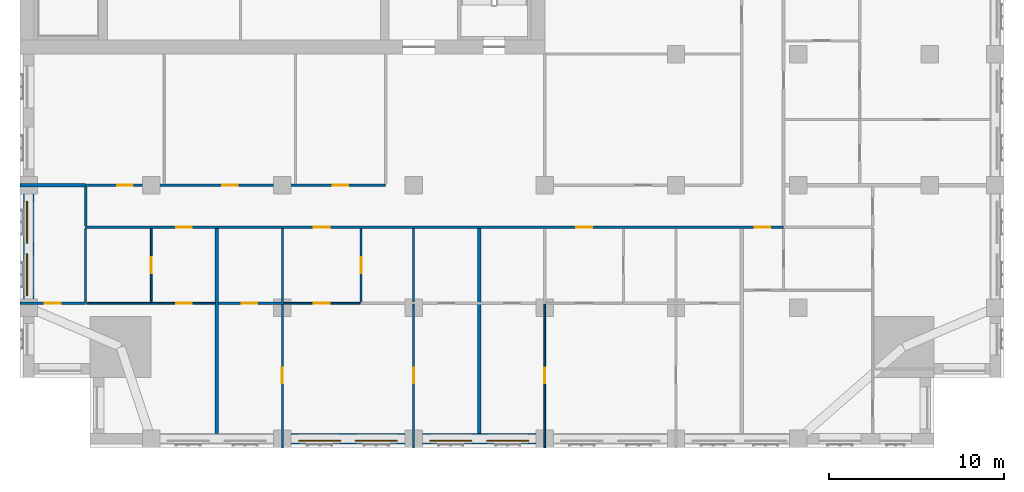
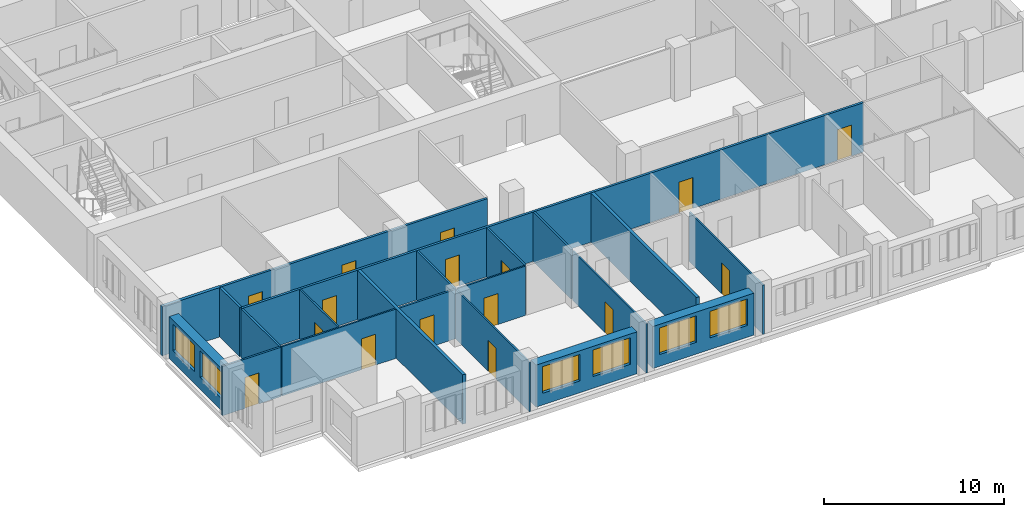
# One storey, part 4 of 13: 21 walls, 16 doors, 6 windows, 22 openings.
"""IFC4 building model written with IfcOpenShell, lengths in metres."""

from ifc_helpers import new_model, si_unit, direction, frame, frame_2d, origin, place, context, subcontext, project, spatial, rectangle, extrude, material, layer, layer_set, type_object, element, fill, save


model = new_model("IFC4")

# Units and contexts
model_context = context("Model", 3, precision=1e-05, world=origin(), true_north=direction((0.0, 1.0)))
body_context = subcontext(model_context, "Body", "Model", "MODEL_VIEW")
ifc_project = project(units=[si_unit("LENGTHUNIT", "METRE"), si_unit("AREAUNIT", "SQUARE_METRE"), si_unit("VOLUMEUNIT", "CUBIC_METRE"), si_unit("PLANEANGLEUNIT", "RADIAN"), si_unit("MASSUNIT", "GRAM", prefix="KILO")], contexts=[model_context])

# Site, building, storey
site_placement = place(None, origin())
site = spatial("IfcSite", under=ifc_project, at=site_placement, CompositionType="ELEMENT")
building_placement = place(site_placement, origin())
building = spatial("IfcBuilding", under=site, at=building_placement, Name="Tamorin Gate", CompositionType="ELEMENT")
storey_placement = place(building_placement, frame((0.0, 0.0, 130.199951171875)))
storey = spatial("IfcBuildingStorey", under=building, at=storey_placement, Name="L31", CompositionType="ELEMENT", Elevation=130.199951171875)

# Wall, openings, windows
ifc_material_1 = material(Name="Precast concrete C40/50", Category="concrete")
ifc_layer_1 = layer(ifc_material_1, 0.60009765625)
ifc_layer_set_1 = layer_set([ifc_layer_1], Name="Precast concrete C40/50")
wall_type_1 = type_object("IfcWallType", Name="Board-marked concrete facade panel 600", PredefinedType="SOLIDWALL", material=ifc_layer_set_1)
wall_1_placement = place(storey_placement, frame((45.5, 38.0, 0.0), z_axis=(0.0, 0.0, 1.0), x_axis=(1.0, 0.0, 0.0)))
wall_1 = element("IfcWall", 1, at=wall_1_placement, inside=storey, type_object=wall_type_1, Name="Facade panel", PredefinedType="SOLIDWALL", context=body_context, shape_type="SweptSolid", body=[
    extrude(rectangle(XDim=6.5, YDim=0.60009765625, at=frame_2d((3.25, 0.0))), origin(), (0.0, 0.0, 1.0), 2.85009765625),
])
opening_1_placement = place(wall_1_placement, frame((0.425048828125, 0.0, 0.800048828125)))
opening_1 = element("IfcOpeningElement", 2, at=opening_1_placement, cuts=wall_1, Name="Opening WN1", PredefinedType="OPENING", context=body_context, shape_type="SweptSolid", body=[
    extrude(rectangle(XDim=2.39990234375, YDim=1.800048828125, at=frame_2d((1.199951171875, 0.89990234375))), frame((0.0, 0.31005859375, 0.0), z_axis=(0.0, -1.0, 0.0), x_axis=(1.0, 0.0, 0.0)), (0.0, 0.0, 1.0), 0.6201171875),
])
opening_2_placement = place(wall_1_placement, frame((3.675048828125, 0.0, 0.800048828125)))
opening_2 = element("IfcOpeningElement", 3, at=opening_2_placement, cuts=wall_1, Name="Opening WN1", PredefinedType="OPENING", context=body_context, shape_type="SweptSolid", body=[
    extrude(rectangle(XDim=2.39990234375, YDim=1.800048828125, at=frame_2d((1.199951171875, 0.89990234375))), frame((0.0, 0.31005859375, 0.0), z_axis=(0.0, -1.0, 0.0), x_axis=(1.0, 0.0, 0.0)), (0.0, 0.0, 1.0), 0.6201171875),
])
ifc_material_2 = material(Name="Clear glass in aluminium frame", Category="aluminium")
window_type = type_object("IfcWindowType", Name="Deep-set window 2400x1800", PartitioningType="SINGLE_PANEL", PredefinedType="WINDOW", material=ifc_material_2)
window_1_placement = place(opening_1_placement, origin())
window_1 = element("IfcWindow", 4, at=window_1_placement, inside=storey, type_object=window_type, Name="Deep-set window", OverallHeight=1.800048828125, OverallWidth=2.39990234375, PartitioningType="SINGLE_PANEL", PredefinedType="WINDOW", context=body_context, shape_type="SweptSolid", body=[
    extrude(rectangle(XDim=2.39990234375, YDim=1.800048828125, at=frame_2d((1.199951171875, 0.89990234375))), frame((0.0, -0.070068359375, 0.0), z_axis=(0.0, -1.0, 0.0), x_axis=(1.0, 0.0, 0.0)), (0.0, 0.0, 1.0), 0.06005859375),
])
fill(opening_1, window_1)
window_2_placement = place(opening_2_placement, origin())
window_2 = element("IfcWindow", 5, at=window_2_placement, inside=storey, type_object=window_type, Name="Deep-set window", OverallHeight=1.800048828125, OverallWidth=2.39990234375, PartitioningType="SINGLE_PANEL", PredefinedType="WINDOW", context=body_context, shape_type="SweptSolid", body=[
    extrude(rectangle(XDim=2.39990234375, YDim=1.800048828125, at=frame_2d((1.199951171875, 0.89990234375))), frame((0.0, -0.070068359375, 0.0), z_axis=(0.0, -1.0, 0.0), x_axis=(1.0, 0.0, 0.0)), (0.0, 0.0, 1.0), 0.06005859375),
])
fill(opening_2, window_2)

wall_2_placement = place(storey_placement, frame((53.0, 38.0, 0.0), z_axis=(0.0, 0.0, 1.0), x_axis=(1.0, 0.0, 0.0)))
wall_2 = element("IfcWall", 6, at=wall_2_placement, inside=storey, type_object=wall_type_1, Name="Facade panel", PredefinedType="SOLIDWALL", context=body_context, shape_type="SweptSolid", body=[
    extrude(rectangle(XDim=6.5, YDim=0.60009765625, at=frame_2d((3.25, 0.0))), origin(), (0.0, 0.0, 1.0), 2.85009765625),
])
opening_3_placement = place(wall_2_placement, frame((0.425048828125, 0.0, 0.800048828125)))
opening_3 = element("IfcOpeningElement", 7, at=opening_3_placement, cuts=wall_2, Name="Opening WN1", PredefinedType="OPENING", context=body_context, shape_type="SweptSolid", body=[
    extrude(rectangle(XDim=2.39990234375, YDim=1.800048828125, at=frame_2d((1.199951171875, 0.89990234375))), frame((0.0, 0.31005859375, 0.0), z_axis=(0.0, -1.0, 0.0), x_axis=(1.0, 0.0, 0.0)), (0.0, 0.0, 1.0), 0.6201171875),
])
opening_4_placement = place(wall_2_placement, frame((3.675048828125, 0.0, 0.800048828125)))
opening_4 = element("IfcOpeningElement", 8, at=opening_4_placement, cuts=wall_2, Name="Opening WN1", PredefinedType="OPENING", context=body_context, shape_type="SweptSolid", body=[
    extrude(rectangle(XDim=2.39990234375, YDim=1.800048828125, at=frame_2d((1.199951171875, 0.89990234375))), frame((0.0, 0.31005859375, 0.0), z_axis=(0.0, -1.0, 0.0), x_axis=(1.0, 0.0, 0.0)), (0.0, 0.0, 1.0), 0.6201171875),
])
window_3_placement = place(opening_3_placement, origin())
window_3 = element("IfcWindow", 9, at=window_3_placement, inside=storey, type_object=window_type, Name="Deep-set window", OverallHeight=1.800048828125, OverallWidth=2.39990234375, PartitioningType="SINGLE_PANEL", PredefinedType="WINDOW", context=body_context, shape_type="SweptSolid", body=[
    extrude(rectangle(XDim=2.39990234375, YDim=1.800048828125, at=frame_2d((1.199951171875, 0.89990234375))), frame((0.0, -0.070068359375, 0.0), z_axis=(0.0, -1.0, 0.0), x_axis=(1.0, 0.0, 0.0)), (0.0, 0.0, 1.0), 0.06005859375),
])
fill(opening_3, window_3)
window_4_placement = place(opening_4_placement, origin())
window_4 = element("IfcWindow", 10, at=window_4_placement, inside=storey, type_object=window_type, Name="Deep-set window", OverallHeight=1.800048828125, OverallWidth=2.39990234375, PartitioningType="SINGLE_PANEL", PredefinedType="WINDOW", context=body_context, shape_type="SweptSolid", body=[
    extrude(rectangle(XDim=2.39990234375, YDim=1.800048828125, at=frame_2d((1.199951171875, 0.89990234375))), frame((0.0, -0.070068359375, 0.0), z_axis=(0.0, -1.0, 0.0), x_axis=(1.0, 0.0, 0.0)), (0.0, 0.0, 1.0), 0.06005859375),
])
fill(opening_4, window_4)

wall_3_placement = place(storey_placement, frame((30.5, 52.0, 0.0), z_axis=(0.0, 0.0, 1.0), x_axis=(0.0, -1.0, 0.0)))
wall_3 = element("IfcWall", 11, at=wall_3_placement, inside=storey, type_object=wall_type_1, Name="Facade panel", PredefinedType="SOLIDWALL", context=body_context, shape_type="SweptSolid", body=[
    extrude(rectangle(XDim=6.0, YDim=0.60009765625, at=frame_2d((3.0, 0.0))), origin(), (0.0, 0.0, 1.0), 2.85009765625),
])
opening_5_placement = place(wall_3_placement, frame((3.425048828125, 0.0, 0.800048828125)))
opening_5 = element("IfcOpeningElement", 12, at=opening_5_placement, cuts=wall_3, Name="Opening WN1", PredefinedType="OPENING", context=body_context, shape_type="SweptSolid", body=[
    extrude(rectangle(XDim=2.39990234375, YDim=1.800048828125, at=frame_2d((1.199951171875, 0.89990234375))), frame((0.0, 0.31005859375, 0.0), z_axis=(0.0, -1.0, 0.0), x_axis=(1.0, 0.0, 0.0)), (0.0, 0.0, 1.0), 0.6201171875),
])
opening_6_placement = place(wall_3_placement, frame((0.425048828125, 0.0, 0.800048828125)))
opening_6 = element("IfcOpeningElement", 13, at=opening_6_placement, cuts=wall_3, Name="Opening WN1", PredefinedType="OPENING", context=body_context, shape_type="SweptSolid", body=[
    extrude(rectangle(XDim=2.39990234375, YDim=1.800048828125, at=frame_2d((1.199951171875, 0.89990234375))), frame((0.0, 0.31005859375, 0.0), z_axis=(0.0, -1.0, 0.0), x_axis=(1.0, 0.0, 0.0)), (0.0, 0.0, 1.0), 0.6201171875),
])
window_5_placement = place(opening_5_placement, origin())
window_5 = element("IfcWindow", 14, at=window_5_placement, inside=storey, type_object=window_type, Name="Deep-set window", OverallHeight=1.800048828125, OverallWidth=2.39990234375, PartitioningType="SINGLE_PANEL", PredefinedType="WINDOW", context=body_context, shape_type="SweptSolid", body=[
    extrude(rectangle(XDim=2.39990234375, YDim=1.800048828125, at=frame_2d((1.199951171875, 0.89990234375))), frame((0.0, -0.070068359375, 0.0), z_axis=(0.0, -1.0, 0.0), x_axis=(1.0, 0.0, 0.0)), (0.0, 0.0, 1.0), 0.06005859375),
])
fill(opening_5, window_5)
window_6_placement = place(opening_6_placement, origin())
window_6 = element("IfcWindow", 15, at=window_6_placement, inside=storey, type_object=window_type, Name="Deep-set window", OverallHeight=1.800048828125, OverallWidth=2.39990234375, PartitioningType="SINGLE_PANEL", PredefinedType="WINDOW", context=body_context, shape_type="SweptSolid", body=[
    extrude(rectangle(XDim=2.39990234375, YDim=1.800048828125, at=frame_2d((1.199951171875, 0.89990234375))), frame((0.0, -0.070068359375, 0.0), z_axis=(0.0, -1.0, 0.0), x_axis=(1.0, 0.0, 0.0)), (0.0, 0.0, 1.0), 0.06005859375),
])
fill(opening_6, window_6)

# Wall, openings, doors
ifc_material_3 = material(Name="Gypsum board partition")
ifc_layer_2 = layer(ifc_material_3, 0.14990234375)
ifc_layer_set_2 = layer_set([ifc_layer_2], Name="Corridor wall 150")
wall_type_2 = type_object("IfcWallType", Name="Corridor wall 150", PredefinedType="PARTITIONING", material=ifc_layer_set_2)
wall_4_placement = place(storey_placement, frame((33.75, 50.10009765625, 0.0), z_axis=(0.0, 0.0, 1.0), x_axis=(1.0, 0.0, 0.0)))
wall_4 = element("IfcWall", 16, at=wall_4_placement, inside=storey, type_object=wall_type_2, Name="Corridor wall 150", PredefinedType="PARTITIONING", context=body_context, shape_type="SweptSolid", body=[
    extrude(rectangle(XDim=39.89990234375, YDim=0.14990234375, at=frame_2d((19.949951171875, 0.0))), origin(), (0.0, 0.0, 1.0), 3.35009765625),
])
opening_7_placement = place(wall_4_placement, frame((5.175048828125, 0.0, 0.0)))
opening_7 = element("IfcOpeningElement", 17, at=opening_7_placement, cuts=wall_4, Name="Opening DS1003", PredefinedType="OPENING", context=body_context, shape_type="SweptSolid", body=[
    extrude(rectangle(XDim=0.89990234375, YDim=2.10009765625, at=frame_2d((0.449951171875, 1.050048828125))), frame((0.0, 0.0849609375, 0.0), z_axis=(0.0, -1.0, 0.0), x_axis=(1.0, 0.0, 0.0)), (0.0, 0.0, 1.0), 0.169921875),
])
opening_8_placement = place(wall_4_placement, frame((13.050048828125, 0.0, 0.0)))
opening_8 = element("IfcOpeningElement", 18, at=opening_8_placement, cuts=wall_4, Name="Opening DS1006", PredefinedType="OPENING", context=body_context, shape_type="SweptSolid", body=[
    extrude(rectangle(XDim=0.89990234375, YDim=2.10009765625, at=frame_2d((0.449951171875, 1.050048828125))), frame((0.0, 0.0849609375, 0.0), z_axis=(0.0, -1.0, 0.0), x_axis=(1.0, 0.0, 0.0)), (0.0, 0.0, 1.0), 0.169921875),
])
opening_9_placement = place(wall_4_placement, frame((28.050048828125, 0.0, 0.0)))
opening_9 = element("IfcOpeningElement", 19, at=opening_9_placement, cuts=wall_4, Name="Opening DS1013", PredefinedType="OPENING", context=body_context, shape_type="SweptSolid", body=[
    extrude(rectangle(XDim=0.89990234375, YDim=2.10009765625, at=frame_2d((0.449951171875, 1.050048828125))), frame((0.0, 0.0849609375, 0.0), z_axis=(0.0, -1.0, 0.0), x_axis=(1.0, 0.0, 0.0)), (0.0, 0.0, 1.0), 0.169921875),
])
opening_10_placement = place(wall_4_placement, frame((38.25, 0.0, 0.0)))
opening_10 = element("IfcOpeningElement", 20, at=opening_10_placement, cuts=wall_4, Name="Opening DS1051", PredefinedType="OPENING", context=body_context, shape_type="SweptSolid", body=[
    extrude(rectangle(XDim=0.89990234375, YDim=2.10009765625, at=frame_2d((0.449951171875, 1.050048828125))), frame((0.0, 0.0849609375, 0.0), z_axis=(0.0, -1.0, 0.0), x_axis=(1.0, 0.0, 0.0)), (0.0, 0.0, 1.0), 0.169921875),
])
ifc_material_4 = material(Name="Timber door leaf", Category="wood")
door_type_1 = type_object("IfcDoorType", Name="Door 900 x 2100 FD30S", OperationType="NOTDEFINED", PredefinedType="DOOR", material=ifc_material_4)
door_1_placement = place(opening_7_placement, origin())
door_1 = element("IfcDoor", 21, at=door_1_placement, inside=storey, type_object=door_type_1, Name="Door DS1003", OperationType="SINGLE_SWING_RIGHT", OverallHeight=2.10009765625, OverallWidth=0.89990234375, PredefinedType="DOOR", context=body_context, shape_type="SweptSolid", body=[
    extrude(rectangle(XDim=0.89990234375, YDim=2.10009765625, at=frame_2d((0.449951171875, 1.050048828125))), frame((0.0, 0.02490234375, 0.0), z_axis=(0.0, -1.0, 0.0), x_axis=(1.0, 0.0, 0.0)), (0.0, 0.0, 1.0), 0.050048828125),
])
fill(opening_7, door_1)
door_2_placement = place(opening_8_placement, origin())
door_2 = element("IfcDoor", 22, at=door_2_placement, inside=storey, type_object=door_type_1, Name="Door DS1006", OperationType="SINGLE_SWING_RIGHT", OverallHeight=2.10009765625, OverallWidth=0.89990234375, PredefinedType="DOOR", context=body_context, shape_type="SweptSolid", body=[
    extrude(rectangle(XDim=0.89990234375, YDim=2.10009765625, at=frame_2d((0.449951171875, 1.050048828125))), frame((0.0, 0.02490234375, 0.0), z_axis=(0.0, -1.0, 0.0), x_axis=(1.0, 0.0, 0.0)), (0.0, 0.0, 1.0), 0.050048828125),
])
fill(opening_8, door_2)
door_3_placement = place(opening_9_placement, origin())
door_3 = element("IfcDoor", 23, at=door_3_placement, inside=storey, type_object=door_type_1, Name="Door DS1013", OperationType="SINGLE_SWING_RIGHT", OverallHeight=2.10009765625, OverallWidth=0.89990234375, PredefinedType="DOOR", context=body_context, shape_type="SweptSolid", body=[
    extrude(rectangle(XDim=0.89990234375, YDim=2.10009765625, at=frame_2d((0.449951171875, 1.050048828125))), frame((0.0, 0.02490234375, 0.0), z_axis=(0.0, -1.0, 0.0), x_axis=(1.0, 0.0, 0.0)), (0.0, 0.0, 1.0), 0.050048828125),
])
fill(opening_9, door_3)
door_4_placement = place(opening_10_placement, origin())
door_4 = element("IfcDoor", 24, at=door_4_placement, inside=storey, type_object=door_type_1, Name="Door DS1051", OperationType="SINGLE_SWING_LEFT", OverallHeight=2.10009765625, OverallWidth=0.89990234375, PredefinedType="DOOR", context=body_context, shape_type="SweptSolid", body=[
    extrude(rectangle(XDim=0.89990234375, YDim=2.10009765625, at=frame_2d((0.449951171875, 1.050048828125))), frame((0.0, 0.02490234375, 0.0), z_axis=(0.0, -1.0, 0.0), x_axis=(1.0, 0.0, 0.0)), (0.0, 0.0, 1.0), 0.050048828125),
])
fill(opening_10, door_4)

wall_5_placement = place(storey_placement, frame((33.75, 52.5, 0.0), z_axis=(0.0, 0.0, 1.0), x_axis=(1.0, 0.0, 0.0)))
wall_5 = element("IfcWall", 25, at=wall_5_placement, inside=storey, type_object=wall_type_2, Name="Corridor wall 150", PredefinedType="PARTITIONING", context=body_context, shape_type="SweptSolid", body=[
    extrude(rectangle(XDim=17.14990234375, YDim=0.14990234375, at=frame_2d((8.574951171875, 0.0))), origin(), (0.0, 0.0, 1.0), 3.35009765625),
])
opening_11_placement = place(wall_5_placement, frame((1.800048828125, 0.0, 0.0)))
opening_11 = element("IfcOpeningElement", 26, at=opening_11_placement, cuts=wall_5, Name="Opening DS1063", PredefinedType="OPENING", context=body_context, shape_type="SweptSolid", body=[
    extrude(rectangle(XDim=0.89990234375, YDim=2.10009765625, at=frame_2d((0.449951171875, 1.050048828125))), frame((0.0, 0.0849609375, 0.0), z_axis=(0.0, -1.0, 0.0), x_axis=(1.0, 0.0, 0.0)), (0.0, 0.0, 1.0), 0.169921875),
])
opening_12_placement = place(wall_5_placement, frame((7.800048828125, 0.0, 0.0)))
opening_12 = element("IfcOpeningElement", 27, at=opening_12_placement, cuts=wall_5, Name="Opening DS1064", PredefinedType="OPENING", context=body_context, shape_type="SweptSolid", body=[
    extrude(rectangle(XDim=0.89990234375, YDim=2.10009765625, at=frame_2d((0.449951171875, 1.050048828125))), frame((0.0, 0.0849609375, 0.0), z_axis=(0.0, -1.0, 0.0), x_axis=(1.0, 0.0, 0.0)), (0.0, 0.0, 1.0), 0.169921875),
])
opening_13_placement = place(wall_5_placement, frame((14.125, 0.0, 0.0)))
opening_13 = element("IfcOpeningElement", 28, at=opening_13_placement, cuts=wall_5, Name="Opening DS1065", PredefinedType="OPENING", context=body_context, shape_type="SweptSolid", body=[
    extrude(rectangle(XDim=0.89990234375, YDim=2.10009765625, at=frame_2d((0.449951171875, 1.050048828125))), frame((0.0, 0.0849609375, 0.0), z_axis=(0.0, -1.0, 0.0), x_axis=(1.0, 0.0, 0.0)), (0.0, 0.0, 1.0), 0.169921875),
])
door_5_placement = place(opening_11_placement, origin())
door_5 = element("IfcDoor", 29, at=door_5_placement, inside=storey, type_object=door_type_1, Name="Door DS1063", OperationType="SINGLE_SWING_LEFT", OverallHeight=2.10009765625, OverallWidth=0.89990234375, PredefinedType="DOOR", context=body_context, shape_type="SweptSolid", body=[
    extrude(rectangle(XDim=0.89990234375, YDim=2.10009765625, at=frame_2d((0.449951171875, 1.050048828125))), frame((0.0, 0.02490234375, 0.0), z_axis=(0.0, -1.0, 0.0), x_axis=(1.0, 0.0, 0.0)), (0.0, 0.0, 1.0), 0.050048828125),
])
fill(opening_11, door_5)
door_6_placement = place(opening_12_placement, origin())
door_6 = element("IfcDoor", 30, at=door_6_placement, inside=storey, type_object=door_type_1, Name="Door DS1064", OperationType="SINGLE_SWING_LEFT", OverallHeight=2.10009765625, OverallWidth=0.89990234375, PredefinedType="DOOR", context=body_context, shape_type="SweptSolid", body=[
    extrude(rectangle(XDim=0.89990234375, YDim=2.10009765625, at=frame_2d((0.449951171875, 1.050048828125))), frame((0.0, 0.02490234375, 0.0), z_axis=(0.0, -1.0, 0.0), x_axis=(1.0, 0.0, 0.0)), (0.0, 0.0, 1.0), 0.050048828125),
])
fill(opening_12, door_6)
door_7_placement = place(opening_13_placement, origin())
door_7 = element("IfcDoor", 31, at=door_7_placement, inside=storey, type_object=door_type_1, Name="Door DS1065", OperationType="SINGLE_SWING_LEFT", OverallHeight=2.10009765625, OverallWidth=0.89990234375, PredefinedType="DOOR", context=body_context, shape_type="SweptSolid", body=[
    extrude(rectangle(XDim=0.89990234375, YDim=2.10009765625, at=frame_2d((0.449951171875, 1.050048828125))), frame((0.0, 0.02490234375, 0.0), z_axis=(0.0, -1.0, 0.0), x_axis=(1.0, 0.0, 0.0)), (0.0, 0.0, 1.0), 0.050048828125),
])
fill(opening_13, door_7)

# Walls
wall_6_placement = place(storey_placement, frame((33.75, 50.175048828125, 0.0), z_axis=(0.0, 0.0, 1.0), x_axis=(0.0, 1.0, 0.0)))
element("IfcWall", 32, at=wall_6_placement, inside=storey, type_object=wall_type_2, Name="Corridor wall 150", PredefinedType="PARTITIONING", context=body_context, shape_type="SweptSolid", body=[
    extrude(rectangle(XDim=2.224853515625, YDim=0.14990234375, at=frame_2d((1.1123046875, 0.0))), origin(), (0.0, 0.0, 1.0), 3.35009765625),
])
ifc_layer_3 = layer(ifc_material_3, 0.199951171875)
ifc_layer_set_3 = layer_set([ifc_layer_3], Name="Demising wall 200")
wall_type_3 = type_object("IfcWallType", Name="Demising wall 200", PredefinedType="PARTITIONING", material=ifc_layer_set_3)
wall_7_placement = place(storey_placement, frame((30.0, 52.5, 0.0), z_axis=(0.0, 0.0, 1.0), x_axis=(1.0, 0.0, 0.0)))
element("IfcWall", 33, at=wall_7_placement, inside=storey, type_object=wall_type_3, Name="Demising wall 200", PredefinedType="PARTITIONING", context=body_context, shape_type="SweptSolid", body=[
    extrude(rectangle(XDim=3.75, YDim=0.199951171875, at=frame_2d((1.875, 0.0))), origin(), (0.0, 0.0, 1.0), 3.35009765625),
])
for number, where, z_axis, x_axis, name in (
    (34, (41.25, 38.31005859375, 0.0), (0.0, 0.0, 1.0), (0.0, 1.0, 0.0), "Demising wall 200"),
    (35, (56.25, 38.31005859375, 0.0), (0.0, 0.0, 1.0), (0.0, 1.0, 0.0), "Demising wall 200"),
):
    element("IfcWall", number, at=place(storey_placement, frame(where, z_axis=z_axis, x_axis=x_axis)), inside=storey, type_object=wall_type_3, Name=name, PredefinedType="PARTITIONING", context=body_context, shape_type="SweptSolid", body=[
        extrude(rectangle(XDim=11.71484375, YDim=0.199951171875, at=frame_2d((5.857421875, 0.0))), origin(), (0.0, 0.0, 1.0), 3.35009765625),
    ])

# Wall, opening, door
ifc_layer_4 = layer(ifc_material_3, 0.10009765625)
ifc_layer_set_4 = layer_set([ifc_layer_4], Name="Room partition 100")
wall_type_4 = type_object("IfcWallType", Name="Room partition 100", PredefinedType="PARTITIONING", material=ifc_layer_set_4)
wall_8_placement = place(storey_placement, frame((33.8125, 45.75, 0.0), z_axis=(0.0, 0.0, 1.0), x_axis=(1.0, 0.0, 0.0)))
wall_8 = element("IfcWall", 36, at=wall_8_placement, inside=storey, type_object=wall_type_4, Name="Room partition 100", PredefinedType="PARTITIONING", context=body_context, shape_type="SweptSolid", body=[
    extrude(rectangle(XDim=7.33740234375, YDim=0.10009765625, at=frame_2d((3.668701171875, 0.0))), origin(), (0.0, 0.0, 1.0), 3.35009765625),
])
opening_14_placement = place(wall_8_placement, frame((5.112548828125, 0.0, 0.0)))
opening_14 = element("IfcOpeningElement", 37, at=opening_14_placement, cuts=wall_8, Name="Opening DS1004", PredefinedType="OPENING", context=body_context, shape_type="SweptSolid", body=[
    extrude(rectangle(XDim=0.89990234375, YDim=2.10009765625, at=frame_2d((0.449951171875, 1.050048828125))), frame((0.0, 0.06005859375, 0.0), z_axis=(0.0, -1.0, 0.0), x_axis=(1.0, 0.0, 0.0)), (0.0, 0.0, 1.0), 0.1201171875),
])
door_type_2 = type_object("IfcDoorType", Name="Door 900 x 2100", OperationType="NOTDEFINED", PredefinedType="DOOR", material=ifc_material_4)
door_8_placement = place(opening_14_placement, origin())
door_8 = element("IfcDoor", 38, at=door_8_placement, inside=storey, type_object=door_type_2, Name="Door DS1004", OperationType="SINGLE_SWING_LEFT", OverallHeight=2.10009765625, OverallWidth=0.89990234375, PredefinedType="DOOR", context=body_context, shape_type="SweptSolid", body=[
    extrude(rectangle(XDim=0.89990234375, YDim=2.10009765625, at=frame_2d((0.449951171875, 1.050048828125))), frame((0.0, 0.02490234375, 0.0), z_axis=(0.0, -1.0, 0.0), x_axis=(1.0, 0.0, 0.0)), (0.0, 0.0, 1.0), 0.050048828125),
])
fill(opening_14, door_8)

wall_9_placement = place(storey_placement, frame((45.0625, 45.75, 0.0), z_axis=(0.0, 0.0, 1.0), x_axis=(1.0, 0.0, 0.0)))
wall_9 = element("IfcWall", 39, at=wall_9_placement, inside=storey, type_object=wall_type_4, Name="Room partition 100", PredefinedType="PARTITIONING", context=body_context, shape_type="SweptSolid", body=[
    extrude(rectangle(XDim=4.375, YDim=0.10009765625, at=frame_2d((2.1875, 0.0))), origin(), (0.0, 0.0, 1.0), 3.35009765625),
])
opening_15_placement = place(wall_9_placement, frame((1.737548828125, 0.0, 0.0)))
opening_15 = element("IfcOpeningElement", 40, at=opening_15_placement, cuts=wall_9, Name="Opening DS1007", PredefinedType="OPENING", context=body_context, shape_type="SweptSolid", body=[
    extrude(rectangle(XDim=0.89990234375, YDim=2.10009765625, at=frame_2d((0.449951171875, 1.050048828125))), frame((0.0, 0.06005859375, 0.0), z_axis=(0.0, -1.0, 0.0), x_axis=(1.0, 0.0, 0.0)), (0.0, 0.0, 1.0), 0.1201171875),
])
door_9_placement = place(opening_15_placement, origin())
door_9 = element("IfcDoor", 41, at=door_9_placement, inside=storey, type_object=door_type_2, Name="Door DS1007", OperationType="SINGLE_SWING_LEFT", OverallHeight=2.10009765625, OverallWidth=0.89990234375, PredefinedType="DOOR", context=body_context, shape_type="SweptSolid", body=[
    extrude(rectangle(XDim=0.89990234375, YDim=2.10009765625, at=frame_2d((0.449951171875, 1.050048828125))), frame((0.0, 0.02490234375, 0.0), z_axis=(0.0, -1.0, 0.0), x_axis=(1.0, 0.0, 0.0)), (0.0, 0.0, 1.0), 0.050048828125),
])
fill(opening_15, door_9)

wall_10_placement = place(storey_placement, frame((37.5, 45.800048828125, 0.0), z_axis=(0.0, 0.0, 1.0), x_axis=(0.0, 1.0, 0.0)))
wall_10 = element("IfcWall", 42, at=wall_10_placement, inside=storey, type_object=wall_type_4, Name="Room partition 100", PredefinedType="PARTITIONING", context=body_context, shape_type="SweptSolid", body=[
    extrude(rectangle(XDim=4.224853515625, YDim=0.10009765625, at=frame_2d((2.1123046875, 0.0))), origin(), (0.0, 0.0, 1.0), 3.35009765625),
])
opening_16_placement = place(wall_10_placement, frame((1.675048828125, 0.0, 0.0)))
opening_16 = element("IfcOpeningElement", 43, at=opening_16_placement, cuts=wall_10, Name="Opening DS1002", PredefinedType="OPENING", context=body_context, shape_type="SweptSolid", body=[
    extrude(rectangle(XDim=0.89990234375, YDim=2.10009765625, at=frame_2d((0.449951171875, 1.050048828125))), frame((0.0, 0.06005859375, 0.0), z_axis=(0.0, -1.0, 0.0), x_axis=(1.0, 0.0, 0.0)), (0.0, 0.0, 1.0), 0.1201171875),
])
door_10_placement = place(opening_16_placement, origin())
door_10 = element("IfcDoor", 44, at=door_10_placement, inside=storey, type_object=door_type_2, Name="Door DS1002", OperationType="SINGLE_SWING_RIGHT", OverallHeight=2.10009765625, OverallWidth=0.89990234375, PredefinedType="DOOR", context=body_context, shape_type="SweptSolid", body=[
    extrude(rectangle(XDim=0.89990234375, YDim=2.10009765625, at=frame_2d((0.449951171875, 1.050048828125))), frame((0.0, 0.02490234375, 0.0), z_axis=(0.0, -1.0, 0.0), x_axis=(1.0, 0.0, 0.0)), (0.0, 0.0, 1.0), 0.050048828125),
])
fill(opening_16, door_10)

wall_11_placement = place(storey_placement, frame((45.0, 37.5, 0.0), z_axis=(0.0, 0.0, 1.0), x_axis=(0.0, 1.0, 0.0)))
wall_11 = element("IfcWall", 45, at=wall_11_placement, inside=storey, type_object=wall_type_4, Name="Room partition 100", PredefinedType="PARTITIONING", context=body_context, shape_type="SweptSolid", body=[
    extrude(rectangle(XDim=8.1875, YDim=0.10009765625, at=frame_2d((4.09375, 0.0))), origin(), (0.0, 0.0, 1.0), 3.35009765625),
])
opening_17_placement = place(wall_11_placement, frame((3.675048828125, 0.0, 0.0)))
opening_17 = element("IfcOpeningElement", 46, at=opening_17_placement, cuts=wall_11, Name="Opening DS1010", PredefinedType="OPENING", context=body_context, shape_type="SweptSolid", body=[
    extrude(rectangle(XDim=0.89990234375, YDim=2.10009765625, at=frame_2d((0.449951171875, 1.050048828125))), frame((0.0, 0.06005859375, 0.0), z_axis=(0.0, -1.0, 0.0), x_axis=(1.0, 0.0, 0.0)), (0.0, 0.0, 1.0), 0.1201171875),
])
door_11_placement = place(opening_17_placement, origin())
door_11 = element("IfcDoor", 47, at=door_11_placement, inside=storey, type_object=door_type_2, Name="Door DS1010", OperationType="SINGLE_SWING_LEFT", OverallHeight=2.10009765625, OverallWidth=0.89990234375, PredefinedType="DOOR", context=body_context, shape_type="SweptSolid", body=[
    extrude(rectangle(XDim=0.89990234375, YDim=2.10009765625, at=frame_2d((0.449951171875, 1.050048828125))), frame((0.0, 0.02490234375, 0.0), z_axis=(0.0, -1.0, 0.0), x_axis=(1.0, 0.0, 0.0)), (0.0, 0.0, 1.0), 0.050048828125),
])
fill(opening_17, door_11)

wall_12_placement = place(storey_placement, frame((52.5, 37.5, 0.0), z_axis=(0.0, 0.0, 1.0), x_axis=(0.0, 1.0, 0.0)))
wall_12 = element("IfcWall", 48, at=wall_12_placement, inside=storey, type_object=wall_type_4, Name="Room partition 100", PredefinedType="PARTITIONING", context=body_context, shape_type="SweptSolid", body=[
    extrude(rectangle(XDim=8.1875, YDim=0.10009765625, at=frame_2d((4.09375, 0.0))), origin(), (0.0, 0.0, 1.0), 3.35009765625),
])
opening_18_placement = place(wall_12_placement, frame((3.675048828125, 0.0, 0.0)))
opening_18 = element("IfcOpeningElement", 49, at=opening_18_placement, cuts=wall_12, Name="Opening DS1011", PredefinedType="OPENING", context=body_context, shape_type="SweptSolid", body=[
    extrude(rectangle(XDim=0.89990234375, YDim=2.10009765625, at=frame_2d((0.449951171875, 1.050048828125))), frame((0.0, 0.06005859375, 0.0), z_axis=(0.0, -1.0, 0.0), x_axis=(1.0, 0.0, 0.0)), (0.0, 0.0, 1.0), 0.1201171875),
])
door_12_placement = place(opening_18_placement, origin())
door_12 = element("IfcDoor", 50, at=door_12_placement, inside=storey, type_object=door_type_2, Name="Door DS1011", OperationType="SINGLE_SWING_LEFT", OverallHeight=2.10009765625, OverallWidth=0.89990234375, PredefinedType="DOOR", context=body_context, shape_type="SweptSolid", body=[
    extrude(rectangle(XDim=0.89990234375, YDim=2.10009765625, at=frame_2d((0.449951171875, 1.050048828125))), frame((0.0, 0.02490234375, 0.0), z_axis=(0.0, -1.0, 0.0), x_axis=(1.0, 0.0, 0.0)), (0.0, 0.0, 1.0), 0.050048828125),
])
fill(opening_18, door_12)

wall_13_placement = place(storey_placement, frame((60.0, 37.5, 0.0), z_axis=(0.0, 0.0, 1.0), x_axis=(0.0, 1.0, 0.0)))
wall_13 = element("IfcWall", 51, at=wall_13_placement, inside=storey, type_object=wall_type_4, Name="Room partition 100", PredefinedType="PARTITIONING", context=body_context, shape_type="SweptSolid", body=[
    extrude(rectangle(XDim=8.1875, YDim=0.10009765625, at=frame_2d((4.09375, 0.0))), origin(), (0.0, 0.0, 1.0), 3.35009765625),
])
opening_19_placement = place(wall_13_placement, frame((3.675048828125, 0.0, 0.0)))
opening_19 = element("IfcOpeningElement", 52, at=opening_19_placement, cuts=wall_13, Name="Opening DS1017", PredefinedType="OPENING", context=body_context, shape_type="SweptSolid", body=[
    extrude(rectangle(XDim=0.89990234375, YDim=2.10009765625, at=frame_2d((0.449951171875, 1.050048828125))), frame((0.0, 0.06005859375, 0.0), z_axis=(0.0, -1.0, 0.0), x_axis=(1.0, 0.0, 0.0)), (0.0, 0.0, 1.0), 0.1201171875),
])
door_13_placement = place(opening_19_placement, origin())
door_13 = element("IfcDoor", 53, at=door_13_placement, inside=storey, type_object=door_type_2, Name="Door DS1017", OperationType="SINGLE_SWING_LEFT", OverallHeight=2.10009765625, OverallWidth=0.89990234375, PredefinedType="DOOR", context=body_context, shape_type="SweptSolid", body=[
    extrude(rectangle(XDim=0.89990234375, YDim=2.10009765625, at=frame_2d((0.449951171875, 1.050048828125))), frame((0.0, 0.02490234375, 0.0), z_axis=(0.0, -1.0, 0.0), x_axis=(1.0, 0.0, 0.0)), (0.0, 0.0, 1.0), 0.050048828125),
])
fill(opening_19, door_13)

ifc_layer_5 = layer(ifc_material_3, 0.125)
ifc_layer_set_5 = layer_set([ifc_layer_5], Name="Wet wall 125")
wall_type_5 = type_object("IfcWallType", Name="Wet wall 125", PredefinedType="PARTITIONING", material=ifc_layer_set_5)
wall_14_placement = place(storey_placement, frame((30.0, 45.75, 0.0), z_axis=(0.0, 0.0, 1.0), x_axis=(1.0, 0.0, 0.0)))
wall_14 = element("IfcWall", 54, at=wall_14_placement, inside=storey, type_object=wall_type_5, Name="Wet wall 125", PredefinedType="PARTITIONING", context=body_context, shape_type="SweptSolid", body=[
    extrude(rectangle(XDim=3.75, YDim=0.125, at=frame_2d((1.875, 0.0))), origin(), (0.0, 0.0, 1.0), 3.35009765625),
])
opening_20_placement = place(wall_14_placement, frame((1.425048828125, 0.0, 0.0)))
opening_20 = element("IfcOpeningElement", 55, at=opening_20_placement, cuts=wall_14, Name="Opening DS1001", PredefinedType="OPENING", context=body_context, shape_type="SweptSolid", body=[
    extrude(rectangle(XDim=0.89990234375, YDim=2.10009765625, at=frame_2d((0.449951171875, 1.050048828125))), frame((0.0, 0.072509765625, 0.0), z_axis=(0.0, -1.0, 0.0), x_axis=(1.0, 0.0, 0.0)), (0.0, 0.0, 1.0), 0.14501953125),
])
door_14_placement = place(opening_20_placement, origin())
door_14 = element("IfcDoor", 56, at=door_14_placement, inside=storey, type_object=door_type_2, Name="Door DS1001", OperationType="SINGLE_SWING_LEFT", OverallHeight=2.10009765625, OverallWidth=0.89990234375, PredefinedType="DOOR", context=body_context, shape_type="SweptSolid", body=[
    extrude(rectangle(XDim=0.89990234375, YDim=2.10009765625, at=frame_2d((0.449951171875, 1.050048828125))), frame((0.0, 0.02490234375, 0.0), z_axis=(0.0, -1.0, 0.0), x_axis=(1.0, 0.0, 0.0)), (0.0, 0.0, 1.0), 0.050048828125),
])
fill(opening_20, door_14)

wall_15_placement = place(storey_placement, frame((41.35009765625, 45.75, 0.0), z_axis=(0.0, 0.0, 1.0), x_axis=(1.0, 0.0, 0.0)))
wall_15 = element("IfcWall", 57, at=wall_15_placement, inside=storey, type_object=wall_type_5, Name="Wet wall 125", PredefinedType="PARTITIONING", context=body_context, shape_type="SweptSolid", body=[
    extrude(rectangle(XDim=3.64990234375, YDim=0.125, at=frame_2d((1.824951171875, 0.0))), origin(), (0.0, 0.0, 1.0), 3.35009765625),
])
opening_21_placement = place(wall_15_placement, frame((1.324951171875, 0.0, 0.0)))
opening_21 = element("IfcOpeningElement", 58, at=opening_21_placement, cuts=wall_15, Name="Opening DS1005", PredefinedType="OPENING", context=body_context, shape_type="SweptSolid", body=[
    extrude(rectangle(XDim=0.89990234375, YDim=2.10009765625, at=frame_2d((0.449951171875, 1.050048828125))), frame((0.0, 0.072509765625, 0.0), z_axis=(0.0, -1.0, 0.0), x_axis=(1.0, 0.0, 0.0)), (0.0, 0.0, 1.0), 0.14501953125),
])
door_15_placement = place(opening_21_placement, origin())
door_15 = element("IfcDoor", 59, at=door_15_placement, inside=storey, type_object=door_type_2, Name="Door DS1005", OperationType="SINGLE_SWING_LEFT", OverallHeight=2.10009765625, OverallWidth=0.89990234375, PredefinedType="DOOR", context=body_context, shape_type="SweptSolid", body=[
    extrude(rectangle(XDim=0.89990234375, YDim=2.10009765625, at=frame_2d((0.449951171875, 1.050048828125))), frame((0.0, 0.02490234375, 0.0), z_axis=(0.0, -1.0, 0.0), x_axis=(1.0, 0.0, 0.0)), (0.0, 0.0, 1.0), 0.050048828125),
])
fill(opening_21, door_15)

# Walls
for number, where, z_axis, x_axis, name in (
    (60, (33.75, 45.8125, 0.0), (0.0, 0.0, 1.0), (0.0, 1.0, 0.0), "Wet wall 125"),
    (61, (45.0, 45.8125, 0.0), (0.0, 0.0, 1.0), (0.0, 1.0, 0.0), "Wet wall 125"),
):
    element("IfcWall", number, at=place(storey_placement, frame(where, z_axis=z_axis, x_axis=x_axis)), inside=storey, type_object=wall_type_5, Name=name, PredefinedType="PARTITIONING", context=body_context, shape_type="SweptSolid", body=[
        extrude(rectangle(XDim=4.21240234375, YDim=0.125, at=frame_2d((2.106201171875, 0.0))), origin(), (0.0, 0.0, 1.0), 3.35009765625),
    ])

# Wall, opening, door
wall_16_placement = place(storey_placement, frame((49.5, 45.8125, 0.0), z_axis=(0.0, 0.0, 1.0), x_axis=(0.0, 1.0, 0.0)))
wall_16 = element("IfcWall", 62, at=wall_16_placement, inside=storey, type_object=wall_type_5, Name="Wet wall 125", PredefinedType="PARTITIONING", context=body_context, shape_type="SweptSolid", body=[
    extrude(rectangle(XDim=4.21240234375, YDim=0.125, at=frame_2d((2.106201171875, 0.0))), origin(), (0.0, 0.0, 1.0), 3.35009765625),
])
opening_22_placement = place(wall_16_placement, frame((1.66259765625, 0.0, 0.0)))
opening_22 = element("IfcOpeningElement", 63, at=opening_22_placement, cuts=wall_16, Name="Opening DS1008", PredefinedType="OPENING", context=body_context, shape_type="SweptSolid", body=[
    extrude(rectangle(XDim=0.89990234375, YDim=2.10009765625, at=frame_2d((0.449951171875, 1.050048828125))), frame((0.0, 0.072509765625, 0.0), z_axis=(0.0, -1.0, 0.0), x_axis=(1.0, 0.0, 0.0)), (0.0, 0.0, 1.0), 0.14501953125),
])
door_16_placement = place(opening_22_placement, origin())
door_16 = element("IfcDoor", 64, at=door_16_placement, inside=storey, type_object=door_type_2, Name="Door DS1008", OperationType="SINGLE_SWING_LEFT", OverallHeight=2.10009765625, OverallWidth=0.89990234375, PredefinedType="DOOR", context=body_context, shape_type="SweptSolid", body=[
    extrude(rectangle(XDim=0.89990234375, YDim=2.10009765625, at=frame_2d((0.449951171875, 1.050048828125))), frame((0.0, 0.02490234375, 0.0), z_axis=(0.0, -1.0, 0.0), x_axis=(1.0, 0.0, 0.0)), (0.0, 0.0, 1.0), 0.050048828125),
])
fill(opening_22, door_16)

# Wall
wall_17_placement = place(storey_placement, frame((52.5, 45.8125, 0.0), z_axis=(0.0, 0.0, 1.0), x_axis=(0.0, 1.0, 0.0)))
element("IfcWall", 65, at=wall_17_placement, inside=storey, type_object=wall_type_5, Name="Wet wall 125", PredefinedType="PARTITIONING", context=body_context, shape_type="SweptSolid", body=[
    extrude(rectangle(XDim=4.21240234375, YDim=0.125, at=frame_2d((2.106201171875, 0.0))), origin(), (0.0, 0.0, 1.0), 3.35009765625),
])

save(model, "model.ifc")
